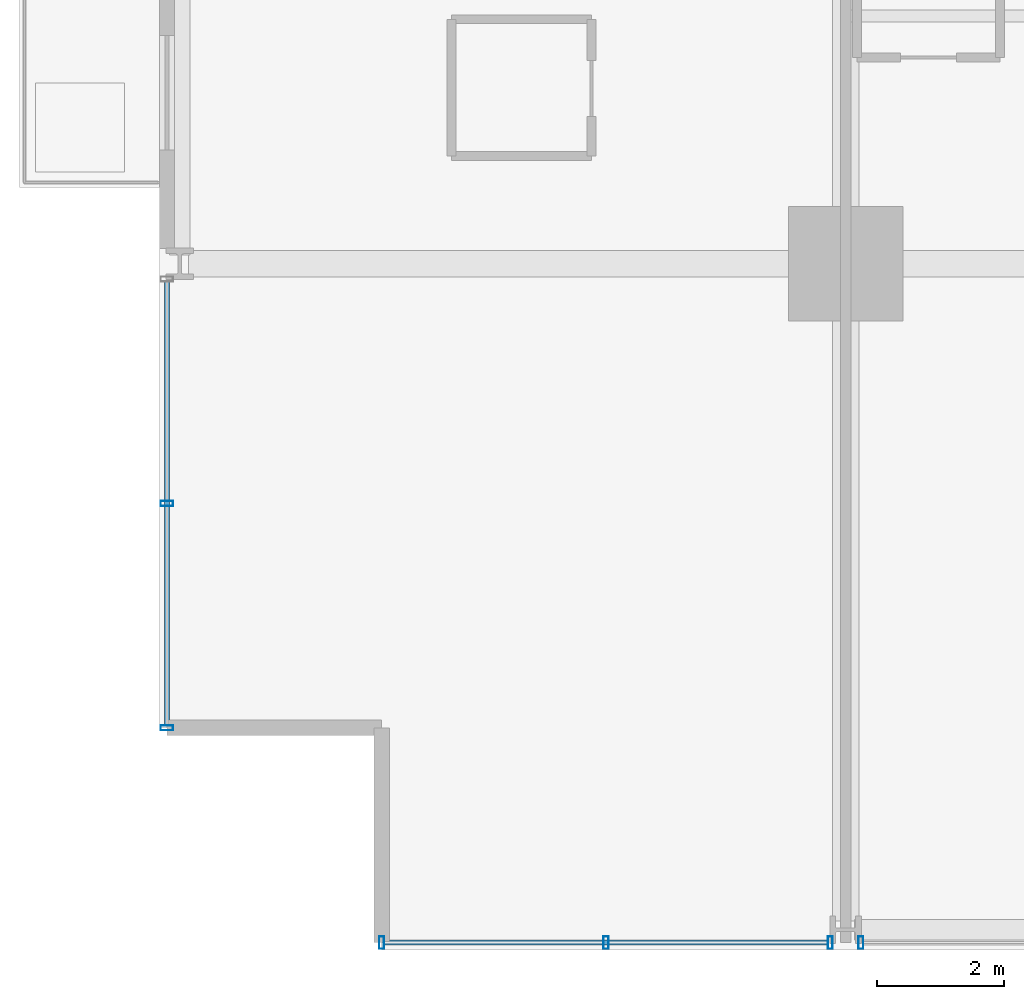
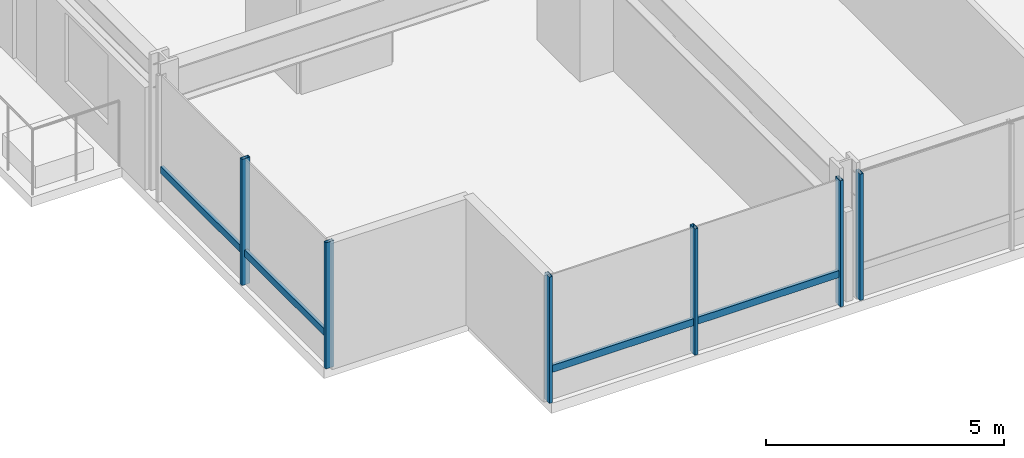
# One storey, part 2 of 39: 8 members, 3 elements without a shape of their own.
"""IFC4 building model written with IfcOpenShell, lengths in metres."""

from ifc_helpers import new_model, si_unit, direction, frame, origin, origin_2d, place, context, subcontext, project, spatial, hollow_rectangle, extrude, material, layer, layer_set, material_profile, profile_set, type_object, element, aggregate, save


model = new_model("IFC4")

# Units and contexts
model_context = context("Model", 3, precision=1e-05, world=origin(), true_north=direction((0.0, 1.0)))
body_context = subcontext(model_context, "Body", "Model", "MODEL_VIEW")
ifc_project = project(units=[si_unit("LENGTHUNIT", "METRE"), si_unit("AREAUNIT", "SQUARE_METRE"), si_unit("VOLUMEUNIT", "CUBIC_METRE"), si_unit("PLANEANGLEUNIT", "RADIAN"), si_unit("MASSUNIT", "GRAM", prefix="KILO")], contexts=[model_context])

# Site, building, storey
site_placement = place(None, origin())
site = spatial("IfcSite", under=ifc_project, at=site_placement, CompositionType="ELEMENT")
building_placement = place(site_placement, origin())
building = spatial("IfcBuilding", under=site, at=building_placement, Name="Drelvath Grand Hotel", CompositionType="ELEMENT")
storey_placement = place(building_placement, frame((0.0, 0.0, 40.199951171875)))
storey = spatial("IfcBuildingStorey", under=building, at=storey_placement, Name="L08", CompositionType="ELEMENT", Elevation=40.199951171875)

# Curtain wall, member
ifc_material = material(Name="Warm Bronze Anodised Aluminium Frame", Category="aluminium")
ifc_layer = layer(ifc_material, 0.199951171875)
ifc_layer_set = layer_set([ifc_layer], Name="Warm Bronze Anodised Aluminium Frame")
curtain_wall_type = type_object("IfcCurtainWallType", Name="Stick Curtain Wall CW-02 Warm Bronze Low-Rise", PredefinedType="NOTDEFINED", material=ifc_layer_set)
curtain_wall_1_placement = place(storey_placement, origin())
curtain_wall_1 = element("IfcCurtainWall", 1, at=curtain_wall_1_placement, inside=storey, type_object=curtain_wall_type, Name="L08 CW-02 Curtain Wall CW02-L08-WS1", PredefinedType="NOTDEFINED")
ifc_material_profile_1 = material_profile(ifc_material, hollow_rectangle(XDim=0.074951171875, YDim=0.179931640625, WallThickness=0.0048828125, at=origin_2d()), Name="HSS180X75X5")
ifc_profile_set_1 = profile_set([ifc_material_profile_1], Name="Warm Bronze Anodised Aluminium Frame")
member_type_1 = type_object("IfcMemberType", Name="Curtain Wall Horizontal Transom CW-02 HSS180X75X5", PredefinedType="USERDEFINED", material=ifc_profile_set_1)
member_1_placement = place(storey_placement, frame((-26.8798828125, 3.5400390625, 0.81005859375), z_axis=(0.0, 1.0, 0.0), x_axis=(-1.0, 0.0, 0.0)))
member_1 = element("IfcMember", 2, at=member_1_placement, type_object=member_type_1, Name="CW02-L08-WS1 Sill Transom", ObjectType="TRANSOM", PredefinedType="USERDEFINED", context=body_context, shape_type="SweptSolid", body=[
    extrude(hollow_rectangle(XDim=0.074951171875, YDim=0.179931640625, WallThickness=0.0048828125, at=origin_2d()), origin(), (0.0, 0.0, 1.0), 6.97900390625),
])

curtain_wall_2_placement = place(storey_placement, origin())
curtain_wall_2 = element("IfcCurtainWall", 3, at=curtain_wall_2_placement, inside=storey, type_object=curtain_wall_type, Name="L08 CW-02 Curtain Wall CW02-L08-SW1", PredefinedType="NOTDEFINED")
member_2_placement = place(storey_placement, frame((-16.48095703125, 0.1201171875, 0.81005859375), z_axis=(-1.0, 0.0, 0.0), x_axis=(0.0, -1.0, 0.0)))
member_2 = element("IfcMember", 4, at=member_2_placement, type_object=member_type_1, Name="CW02-L08-SW1 Sill Transom", ObjectType="TRANSOM", PredefinedType="USERDEFINED", context=body_context, shape_type="SweptSolid", body=[
    extrude(hollow_rectangle(XDim=0.074951171875, YDim=0.179931640625, WallThickness=0.0048828125, at=origin_2d()), origin(), (0.0, 0.0, 1.0), 6.97900390625),
])

# Member
ifc_material_profile_2 = material_profile(ifc_material, hollow_rectangle(XDim=0.080078125, YDim=0.199951171875, WallThickness=0.0048828125, at=origin_2d()), Name="HSS200X80X5")
ifc_profile_set_2 = profile_set([ifc_material_profile_2], Name="Warm Bronze Anodised Aluminium Frame")
member_type_2 = type_object("IfcMemberType", Name="Curtain Wall Vertical Mullion CW-02 HSS200X80X5", PredefinedType="MULLION", material=ifc_profile_set_2)
member_3_placement = place(storey_placement, frame((-26.8798828125, 3.5, 0.0), z_axis=(0.0, 0.0, 1.0), x_axis=(0.0, 1.0, 0.0)))
member_3 = element("IfcMember", 5, at=member_3_placement, type_object=member_type_2, Name="CW02-L08-WS1 Mullion 1", PredefinedType="MULLION", context=body_context, shape_type="SweptSolid", body=[
    extrude(hollow_rectangle(XDim=0.080078125, YDim=0.199951171875, WallThickness=0.0048828125, at=origin_2d()), origin(), (0.0, 0.0, 1.0), 3.239990234375),
])

member_4_placement = place(storey_placement, frame((-26.8798828125, 7.029541015625, 0.0), z_axis=(0.0, 0.0, 1.0), x_axis=(0.0, 1.0, 0.0)))
member_4 = element("IfcMember", 6, at=member_4_placement, type_object=member_type_2, Name="CW02-L08-WS1 Mullion 2", PredefinedType="MULLION", context=body_context, shape_type="SweptSolid", body=[
    extrude(hollow_rectangle(XDim=0.080078125, YDim=0.199951171875, WallThickness=0.0048828125, at=origin_2d()), origin(), (0.0, 0.0, 1.0), 3.239990234375),
])

aggregate(curtain_wall_1, [member_3, member_4, member_1])

member_5_placement = place(storey_placement, frame((-16.44091796875, 0.1201171875, 0.0), z_axis=(0.0, 0.0, 1.0), x_axis=(1.0, 0.0, 0.0)))
member_5 = element("IfcMember", 7, at=member_5_placement, type_object=member_type_2, Name="CW02-L08-SW1 Mullion 1", PredefinedType="MULLION", context=body_context, shape_type="SweptSolid", body=[
    extrude(hollow_rectangle(XDim=0.080078125, YDim=0.199951171875, WallThickness=0.0048828125, at=origin_2d()), origin(), (0.0, 0.0, 1.0), 3.239990234375),
])

member_6_placement = place(storey_placement, frame((-19.970458984375, 0.1201171875, 0.0), z_axis=(0.0, 0.0, 1.0), x_axis=(1.0, 0.0, 0.0)))
member_6 = element("IfcMember", 8, at=member_6_placement, type_object=member_type_2, Name="CW02-L08-SW1 Mullion 2", PredefinedType="MULLION", context=body_context, shape_type="SweptSolid", body=[
    extrude(hollow_rectangle(XDim=0.080078125, YDim=0.199951171875, WallThickness=0.0048828125, at=origin_2d()), origin(), (0.0, 0.0, 1.0), 3.239990234375),
])

member_7_placement = place(storey_placement, frame((-23.5, 0.1201171875, 0.0), z_axis=(0.0, 0.0, 1.0), x_axis=(1.0, 0.0, 0.0)))
member_7 = element("IfcMember", 9, at=member_7_placement, type_object=member_type_2, Name="CW02-L08-SW1 Mullion 3", PredefinedType="MULLION", context=body_context, shape_type="SweptSolid", body=[
    extrude(hollow_rectangle(XDim=0.080078125, YDim=0.199951171875, WallThickness=0.0048828125, at=origin_2d()), origin(), (0.0, 0.0, 1.0), 3.239990234375),
])

aggregate(curtain_wall_2, [member_5, member_6, member_7, member_2])

# Curtain wall, member
curtain_wall_3_placement = place(storey_placement, origin())
curtain_wall_3 = element("IfcCurtainWall", 10, at=curtain_wall_3_placement, inside=storey, type_object=curtain_wall_type, Name="L08 CW-02 Curtain Wall CW02-L08-SW2", PredefinedType="NOTDEFINED")
member_8_placement = place(storey_placement, frame((-15.958984375, 0.1201171875, 0.0), z_axis=(0.0, 0.0, 1.0), x_axis=(1.0, 0.0, 0.0)))
member_8 = element("IfcMember", 11, at=member_8_placement, type_object=member_type_2, Name="CW02-L08-SW2 Mullion 3", PredefinedType="MULLION", context=body_context, shape_type="SweptSolid", body=[
    extrude(hollow_rectangle(XDim=0.080078125, YDim=0.199951171875, WallThickness=0.0048828125, at=origin_2d()), origin(), (0.0, 0.0, 1.0), 3.239990234375),
])
aggregate(curtain_wall_3, [member_8])

save(model, "model.ifc")
